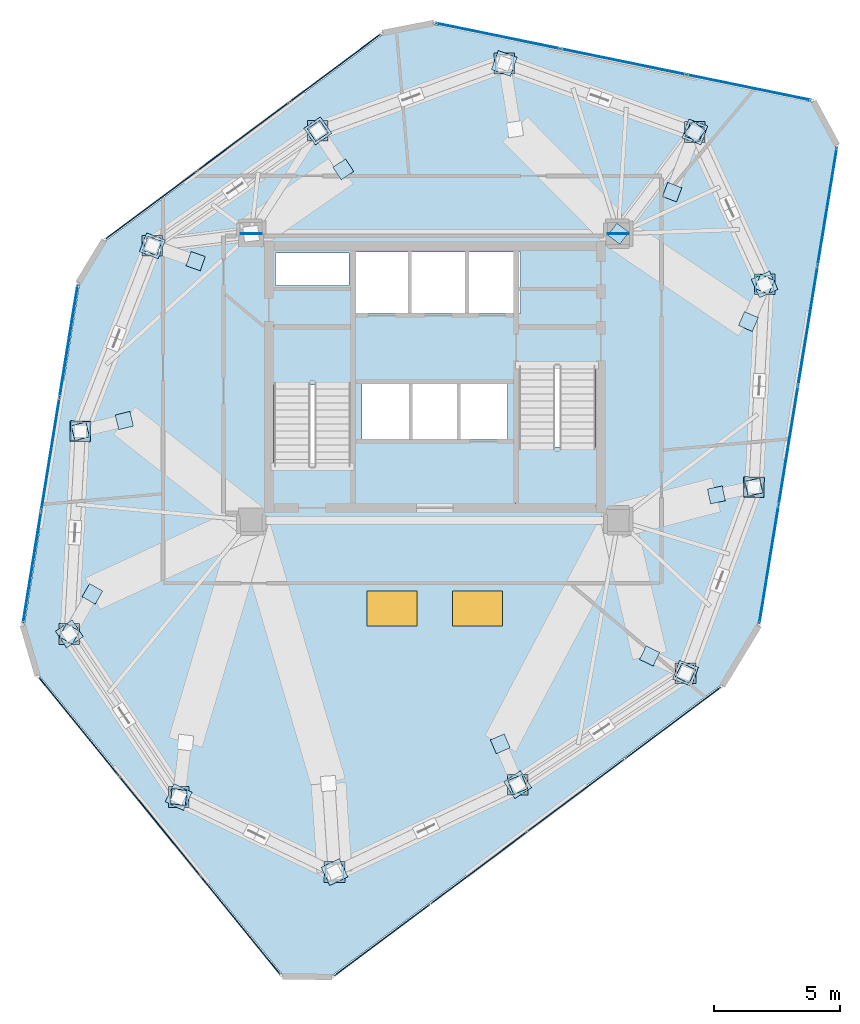
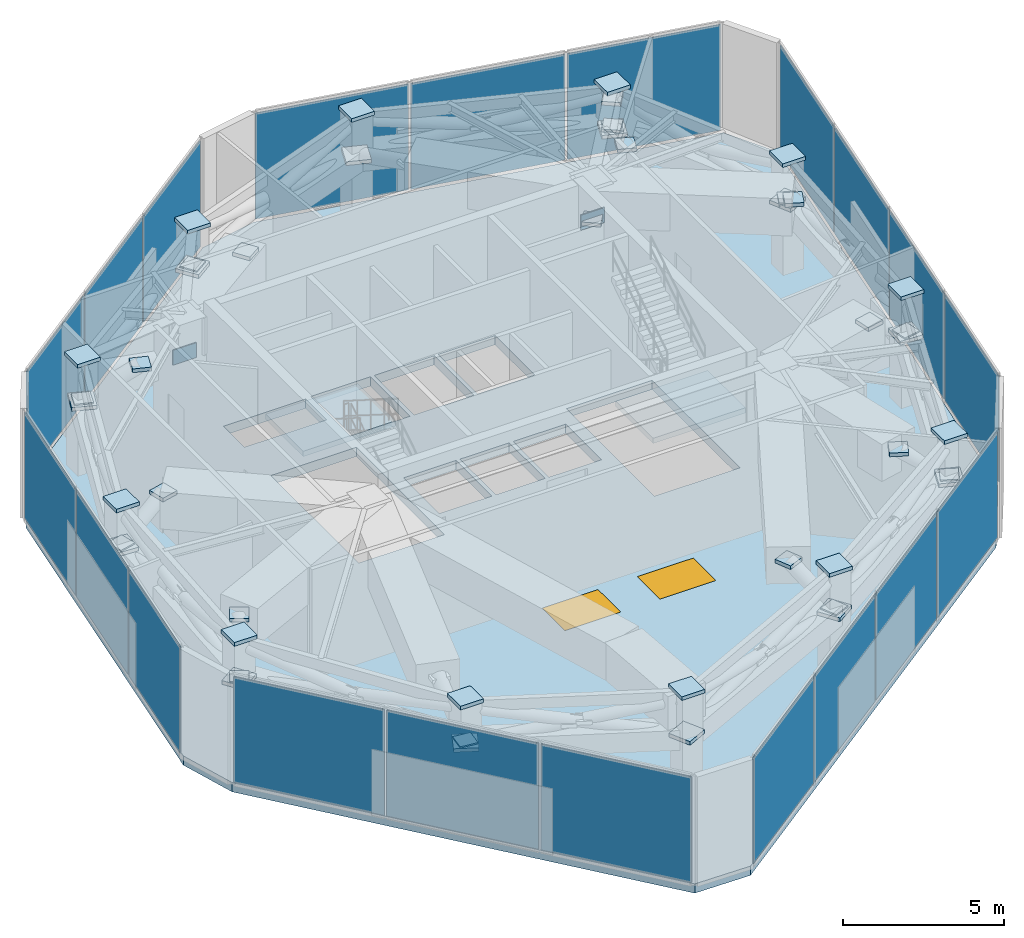
# One storey, part 15 of 19: 68 plates, 3 slabs, 2 windows, 2 openings, 8 elements without a shape of their own.
"""IFC4 building model written with IfcOpenShell, lengths in metres."""

import ifcopenshell
import ifcopenshell.guid

model = None  # the IFC model being written
_history = None  # IfcOwnerHistory: only IFC2X3 demands one
_inside = {}  # id of a spatial element -> (the spatial element, [elements in it])
_under = {}  # id of a project, library or spatial element -> (it, [spatial elements below it])
_declared = {}  # id of a project -> (the project, [libraries it declares])
_typed = {}  # id of a type object -> (the type object, [elements of that type])
_made_of = {}  # id of a material, layer set ... -> (it, [elements and type objects made of it])


def new_model(schema):
    """Start an empty IFC model of exactly this schema.

    Asked for "IFC4X3", IfcOpenShell would pick the latest addendum, in which some entities
    have other attributes; the version numbers below select the first issue.
    IFC2X3 requires an IfcOwnerHistory on every rooted entity: one is made here for all.
    """
    global model, _history
    if schema == "IFC4X3":
        model = ifcopenshell.file(schema_version=(4, 3, 0, 0))
    else:
        model = ifcopenshell.file(schema=schema)
    _inside.clear()
    _under.clear()
    _declared.clear()
    _typed.clear()
    _made_of.clear()
    _history = None
    if model.schema == "IFC2X3":
        org = make("IfcOrganization", Name="unknown")
        user = make(
            "IfcPersonAndOrganization",
            ThePerson=make("IfcPerson", FamilyName="unknown"),
            TheOrganization=org,
        )
        app = make(
            "IfcApplication",
            ApplicationDeveloper=org,
            Version="unknown",
            ApplicationFullName="unknown",
            ApplicationIdentifier="unknown",
        )
        _history = make(
            "IfcOwnerHistory",
            OwningUser=user,
            OwningApplication=app,
            ChangeAction="ADDED",
            CreationDate=0,
        )
    return model


def make(cls, **values):
    """One entity of the class cls with the attributes given. An attribute that is None is left unset."""
    return model.create_entity(
        cls, **{name: value for name, value in values.items() if value is not None}
    )


def rooted(cls, **values):
    """An entity with a GlobalId (a new one), such as an element, a storey or a relation."""
    return make(cls, GlobalId=ifcopenshell.guid.new(), OwnerHistory=_history, **values)


def si_unit(unit_type, name, prefix=None):
    """IfcSIUnit, for example si_unit("LENGTHUNIT", "METRE", prefix="MILLI")."""
    return make("IfcSIUnit", UnitType=unit_type, Prefix=prefix, Name=name)


def assignment(units):
    """IfcUnitAssignment: the units of a project."""
    return None if units is None else make("IfcUnitAssignment", Units=units)


def point(xyz):
    """IfcCartesianPoint."""
    return None if xyz is None else make("IfcCartesianPoint", Coordinates=xyz)


def direction(xyz):
    """IfcDirection."""
    return None if xyz is None else make("IfcDirection", DirectionRatios=xyz)


def frame(location, z_axis=None, x_axis=None):
    """IfcAxis2Placement3D, a coordinate frame: its origin and axes. An axis left out is left unset."""
    return make(
        "IfcAxis2Placement3D",
        Location=point(location),
        Axis=direction(z_axis),
        RefDirection=direction(x_axis),
    )


def frame_2d(location, x_axis=None):
    """IfcAxis2Placement2D, a coordinate frame in the plane: its origin and x axis."""
    return make(
        "IfcAxis2Placement2D", Location=point(location), RefDirection=direction(x_axis)
    )


def origin():
    """The frame at (0, 0, 0) with its axes left unset."""
    return frame((0.0, 0.0, 0.0))


def origin_2d():
    """The frame at (0, 0) in the plane with its x axis left unset."""
    return frame_2d((0.0, 0.0))


def place(relative_to, where):
    """IfcLocalPlacement: puts the frame where relative to a parent placement (None: the world)."""
    return make(
        "IfcLocalPlacement", PlacementRelTo=relative_to, RelativePlacement=where
    )


def context(
    kind, dimensions, precision=None, world=None, true_north=None, identifier=None
):
    """IfcGeometricRepresentationContext, for example the 3D "Model" context."""
    return make(
        "IfcGeometricRepresentationContext",
        ContextIdentifier=identifier,
        ContextType=kind,
        CoordinateSpaceDimension=dimensions,
        Precision=precision,
        WorldCoordinateSystem=world,
        TrueNorth=true_north,
    )


def subcontext(parent, identifier, kind, view, scale=None):
    """IfcGeometricRepresentationSubContext, for example "Body" below "Model"."""
    return make(
        "IfcGeometricRepresentationSubContext",
        ContextIdentifier=identifier,
        ContextType=kind,
        ParentContext=parent,
        TargetScale=scale,
        TargetView=view,
    )


def project(units=None, contexts=None):
    """IfcProject with its units and contexts."""
    return rooted(
        "IfcProject",
        Name="project",
        RepresentationContexts=contexts,
        UnitsInContext=assignment(units),
    )


def spatial(cls, under=None, at=None, **own):
    """A site, building, storey or space (cls), placed at a placement, below another one or the project."""
    s = rooted(cls, ObjectPlacement=at, **own)
    if under is not None:
        _under.setdefault(under.id(), (under, []))[1].append(s)
    return s


def polyline(points):
    """IfcPolyline through the points."""
    return make("IfcPolyline", Points=[point(p) for p in points])


def profile(cls, at=None, kind="AREA", **sizes):
    """A parametric profile (cls). Its sizes go by their IFC names, for example OverallWidth=200.0."""
    return make(cls, ProfileType=kind, Position=at, **sizes)


def rectangle(**sizes):
    """IfcRectangleProfileDef."""
    return profile("IfcRectangleProfileDef", **sizes)


def outline(outer, holes=None, kind="AREA"):
    """IfcArbitraryClosedProfileDef: a profile drawn as a closed curve; with holes, ...WithVoids."""
    if holes is None:
        return make("IfcArbitraryClosedProfileDef", ProfileType=kind, OuterCurve=outer)
    return make(
        "IfcArbitraryProfileDefWithVoids",
        ProfileType=kind,
        OuterCurve=outer,
        InnerCurves=holes,
    )


def extrude(swept, where, along, depth):
    """IfcExtrudedAreaSolid: the profile swept, set in the frame where, extruded along a direction by depth."""
    return make(
        "IfcExtrudedAreaSolid",
        SweptArea=swept,
        Position=where,
        ExtrudedDirection=direction(along),
        Depth=depth,
    )


def shape(context_of_items, identifier, shape_type, items):
    """IfcShapeRepresentation: the items that make up one representation, for example the "Body"."""
    return make(
        "IfcShapeRepresentation",
        ContextOfItems=context_of_items,
        RepresentationIdentifier=identifier,
        RepresentationType=shape_type,
        Items=items,
    )


def source(mapping_origin, context_of_items, identifier, shape_type, items):
    """IfcRepresentationMap: a shape defined once, which mapped items show again and again."""
    return make(
        "IfcRepresentationMap",
        MappingOrigin=mapping_origin,
        MappedRepresentation=shape(context_of_items, identifier, shape_type, items),
    )


def transform(
    local_origin,
    x_axis=None,
    y_axis=None,
    z_axis=None,
    scale=None,
    scale2=None,
    scale3=None,
    uniform=True,
):
    """IfcCartesianTransformationOperator3D, or its non-uniform kind. x_axis, y_axis, z_axis: its Axis1, 2, 3."""
    if uniform:
        return make(
            "IfcCartesianTransformationOperator3D",
            Axis1=direction(x_axis),
            Axis2=direction(y_axis),
            LocalOrigin=point(local_origin),
            Scale=scale,
            Axis3=direction(z_axis),
        )
    return make(
        "IfcCartesianTransformationOperator3DnonUniform",
        Axis1=direction(x_axis),
        Axis2=direction(y_axis),
        LocalOrigin=point(local_origin),
        Scale=scale,
        Axis3=direction(z_axis),
        Scale2=scale2,
        Scale3=scale3,
    )


def mapped(mapping_source, mapping_target):
    """IfcMappedItem: shows the shape of a source again, moved by a transform."""
    return make(
        "IfcMappedItem", MappingSource=mapping_source, MappingTarget=mapping_target
    )


def material(Name=None, Category=None):
    """IfcMaterial."""
    return make("IfcMaterial", Name=Name, Category=Category)


def layer(
    of_material, thickness, ventilated=None, Name=None, Category=None, Priority=None
):
    """IfcMaterialLayer: one layer of a wall or slab, of a material (None: an air gap)."""
    return make(
        "IfcMaterialLayer",
        Material=of_material,
        LayerThickness=thickness,
        IsVentilated=ventilated,
        Name=Name,
        Category=Category,
        Priority=Priority,
    )


def layer_set(layers, Name=None):
    """IfcMaterialLayerSet."""
    return make("IfcMaterialLayerSet", MaterialLayers=layers, LayerSetName=Name)


def made_of(thing, what):
    """Note that an element or type object is made of a material, layer set ...; save() writes the relation."""
    if what is not None:
        _made_of.setdefault(what.id(), (what, []))[1].append(thing)
    return thing


def type_object(cls, material=None, **own):
    """A type object (cls), such as IfcWallType, which elements share."""
    return made_of(rooted(cls, **own), material)


def type_shapes(of_type, sources):
    """Give a type object the sources (RepresentationMaps) that its elements show as mapped items."""
    of_type.RepresentationMaps = sources


def element(
    cls,
    number,
    at=None,
    inside=None,
    cuts=None,
    type_object=None,
    material=None,
    context=None,
    identifier="Body",
    shape_type=None,
    held_by="IfcProductDefinitionShape",
    body=None,
    shapes=None,
    **own,
):
    """One element of the class cls, such as IfcWall. Its Tag is "e" and its number.

    at: its placement. inside: the storey or other place that contains it. cuts: it is an
    opening in that element (IfcRelVoidsElement). A single representation is given by context,
    identifier, shape_type and body (its items); several are given by shapes. held_by: the class
    of the entity that holds the representations. save() writes the other relations.
    """
    e = rooted(cls, Tag="e%d" % number, ObjectPlacement=at, **own)
    if body is not None:
        shapes = [shape(context, identifier, shape_type, body)]
    if shapes is not None:
        e.Representation = make(held_by, Representations=shapes)
    if inside is not None:
        _inside.setdefault(inside.id(), (inside, []))[1].append(e)
    if cuts is not None:
        rooted(
            "IfcRelVoidsElement", RelatingBuildingElement=cuts, RelatedOpeningElement=e
        )
    if type_object is not None:
        _typed.setdefault(type_object.id(), (type_object, []))[1].append(e)
    return made_of(e, material)


def fill(opening, filler):
    """IfcRelFillsElement: the door or window that sits in an opening."""
    return rooted(
        "IfcRelFillsElement",
        RelatingOpeningElement=opening,
        RelatedBuildingElement=filler,
    )


def aggregate(whole, parts):
    """IfcRelAggregates: a whole, such as a stair, and the parts it consists of."""
    return rooted("IfcRelAggregates", RelatingObject=whole, RelatedObjects=parts)


def save(model, path):
    """Write the relations noted so far, then the file.

    IfcRelAggregates (storeys below a building ...), IfcRelContainedInSpatialStructure (elements
    in a storey), IfcRelDefinesByType, IfcRelAssociatesMaterial and IfcRelDeclares: one each for
    every whole, place, type object, material and project.
    """
    for whole, parts in _under.values():
        aggregate(whole, parts)
    for where, things in _inside.values():
        rooted(
            "IfcRelContainedInSpatialStructure",
            RelatedElements=things,
            RelatingStructure=where,
        )
    for kind, things in _typed.values():
        rooted("IfcRelDefinesByType", RelatedObjects=things, RelatingType=kind)
    for what, things in _made_of.values():
        rooted("IfcRelAssociatesMaterial", RelatedObjects=things, RelatingMaterial=what)
    for by, libraries in _declared.values():
        rooted("IfcRelDeclares", RelatingContext=by, RelatedDefinitions=libraries)
    model.write(path)


model = new_model("IFC4")

# Units and contexts
model_context = context("Model", 3, precision=1e-05, world=origin(), true_north=direction((0.0, 1.0)))
body_context = subcontext(model_context, "Body", "Model", "MODEL_VIEW")
ifc_project = project(units=[si_unit("LENGTHUNIT", "METRE"), si_unit("AREAUNIT", "SQUARE_METRE"), si_unit("VOLUMEUNIT", "CUBIC_METRE"), si_unit("PLANEANGLEUNIT", "RADIAN"), si_unit("MASSUNIT", "GRAM", prefix="KILO")], contexts=[model_context])

# Site, building, storey
site_placement = place(None, origin())
site = spatial("IfcSite", under=ifc_project, at=site_placement, CompositionType="ELEMENT")
building_placement = place(site_placement, origin())
building = spatial("IfcBuilding", under=site, at=building_placement, Name="Talar Marvaseh", CompositionType="ELEMENT")
storey_placement = place(building_placement, frame((0.0, 0.0, 236.199951171875)))
storey = spatial("IfcBuildingStorey", under=building, at=storey_placement, Name="L62", CompositionType="ELEMENT", Elevation=236.199951171875)

# Stair, slab
ifc_material_1 = material(Name="Concrete C40/50", Category="concrete")
stair_type = type_object("IfcStairType", Name="Reinforced Concrete High-Rise Exit Stair Type C", PredefinedType="HALF_TURN_STAIR", material=ifc_material_1)
stair_1_placement = place(storey_placement, origin())
stair_1 = element("IfcStair", 1, at=stair_1_placement, inside=storey, type_object=stair_type, Name="L62 Tower West Core Exit Stair", PredefinedType="HALF_TURN_STAIR")
ifc_layer_1 = layer(ifc_material_1, 0.199951171875)
ifc_layer_set_1 = layer_set([ifc_layer_1], Name="Concrete C40/50")
slab_type_1 = type_object("IfcSlabType", Name="Reinforced Concrete Stair Half-Landing Slab 200", PredefinedType="LANDING", material=ifc_layer_set_1)
slab_1_placement = place(storey_placement, frame((0.0, 0.0, 2.10009765625)))
slab_1 = element("IfcSlab", 2, at=slab_1_placement, type_object=slab_type_1, Name="ST-1 landing 1", PredefinedType="LANDING", context=body_context, shape_type="SweptSolid", body=[
    extrude(outline(polyline([(22.780029296875, 30.889892578125), (22.780029296875, 33.219970703125), (19.47998046875, 33.219970703125), (19.47998046875, 30.889892578125), (22.780029296875, 30.889892578125)])), origin(), (0.0, 0.0, 1.0), 0.199951171875),
])
aggregate(stair_1, [slab_1])

stair_2_placement = place(storey_placement, origin())
stair_2 = element("IfcStair", 3, at=stair_2_placement, inside=storey, type_object=stair_type, Name="L62 Tower East Core Exit Stair", PredefinedType="HALF_TURN_STAIR")
slab_2_placement = place(storey_placement, frame((0.0, 0.0, 2.10009765625)))
slab_2 = element("IfcSlab", 4, at=slab_2_placement, type_object=slab_type_1, Name="ST-2 landing 1", PredefinedType="LANDING", context=body_context, shape_type="SweptSolid", body=[
    extrude(outline(polyline([(29.219970703125, 28.409912109375), (29.219970703125, 26.080078125), (32.52001953125, 26.080078125), (32.52001953125, 28.409912109375), (29.219970703125, 28.409912109375)])), origin(), (0.0, 0.0, 1.0), 0.199951171875),
])
aggregate(stair_2, [slab_2])

# Slab, openings, windows
ifc_material_2 = material(Name="Concrete C50/60", Category="concrete")
ifc_layer_2 = layer(ifc_material_2, 0.35009765625)
ifc_layer_set_2 = layer_set([ifc_layer_2], Name="Concrete C50/60")
slab_type_2 = type_object("IfcSlabType", Name="Structural Suspended Floor Slab 350", PredefinedType="FLOOR", material=ifc_layer_set_2)
slab_3_placement = place(storey_placement, frame((0.0, 0.0, -0.349853515625)))
slab_3 = element("IfcSlab", 5, at=slab_3_placement, inside=storey, type_object=slab_type_2, Name="L62 Tower Floor Slab", PredefinedType="FLOOR", context=body_context, shape_type="SweptSolid", body=[
    extrude(outline(polyline([(21.922607421875, 7.40771484375), (19.9453125, 7.43603515625), (10.27197265625, 19.340576171875), (9.68310546875, 21.34423828125), (11.87451171875, 34.900146484375), (12.91357421875, 36.612548828125), (23.92578125, 44.815673828125), (25.97509765625, 45.218505859375), (41.001220703125, 42.13525390625), (41.939453125, 40.394287109375), (38.836181640625, 21.357421875), (37.375732421875, 18.95068359375), (21.922607421875, 7.40771484375)]), holes=[polyline([(22.659912109375, 27.64990234375), (22.659912109375, 33.10009765625), (19.60009765625, 33.10009765625), (19.60009765625, 27.64990234375), (22.659912109375, 27.64990234375)]), polyline([(29.340087890625, 31.64990234375), (29.340087890625, 26.199951171875), (32.39990234375, 26.199951171875), (32.39990234375, 31.64990234375), (29.340087890625, 31.64990234375)]), polyline([(22.800048828125, 33.719970703125), (24.93994140625, 33.719970703125), (24.93994140625, 36.179931640625), (22.800048828125, 36.179931640625), (22.800048828125, 33.719970703125)]), polyline([(25.080078125, 33.719970703125), (27.219970703125, 33.719970703125), (27.219970703125, 36.179931640625), (25.080078125, 36.179931640625), (25.080078125, 33.719970703125)]), polyline([(27.360107421875, 33.719970703125), (29.39990234375, 33.719970703125), (29.39990234375, 36.179931640625), (27.360107421875, 36.179931640625), (27.360107421875, 33.719970703125)]), polyline([(23.10009765625, 28.719970703125), (24.97998046875, 28.719970703125), (24.97998046875, 30.93994140625), (23.10009765625, 30.93994140625), (23.10009765625, 28.719970703125)]), polyline([(25.1201171875, 28.719970703125), (26.8798828125, 28.719970703125), (26.8798828125, 30.93994140625), (25.1201171875, 30.93994140625), (25.1201171875, 28.719970703125)]), polyline([(27.02001953125, 28.719970703125), (28.89990234375, 28.719970703125), (28.89990234375, 30.93994140625), (27.02001953125, 30.93994140625), (27.02001953125, 28.719970703125)]), polyline([(19.659912109375, 34.840087890625), (22.60009765625, 34.840087890625), (22.60009765625, 36.139892578125), (19.659912109375, 36.139892578125), (19.659912109375, 34.840087890625)])]), origin(), (0.0, 0.0, 1.0), 0.349853515625),
])
opening_1_placement = place(slab_3_placement, frame((24.300048828125, 22.0, -0.010009765625)))
opening_1 = element("IfcOpeningElement", 6, at=opening_1_placement, cuts=slab_3, Name="Opening WN-SKY20", PredefinedType="OPENING", context=body_context, shape_type="SweptSolid", body=[
    extrude(rectangle(XDim=2.0, YDim=1.39990234375, at=origin_2d()), origin(), (0.0, 0.0, 1.0), 0.369873046875),
])
opening_2_placement = place(slab_3_placement, frame((27.699951171875, 22.0, -0.010009765625)))
opening_2 = element("IfcOpeningElement", 7, at=opening_2_placement, cuts=slab_3, Name="Opening WN-SKY20", PredefinedType="OPENING", context=body_context, shape_type="SweptSolid", body=[
    extrude(rectangle(XDim=2.0, YDim=1.39990234375, at=origin_2d()), origin(), (0.0, 0.0, 1.0), 0.369873046875),
])
ifc_material_3 = material(Name="Laminated Low-E Solar Glass", Category="glass")
window_type = type_object("IfcWindowType", Name="Upper Atrium Smoke-Rated Roof Skylight 2000x1400", PartitioningType="SINGLE_PANEL", PredefinedType="SKYLIGHT", material=ifc_material_3)
window_1_placement = place(slab_3_placement, frame((24.300048828125, 22.0, 0.2998046875)))
window_1 = element("IfcWindow", 8, at=window_1_placement, inside=storey, type_object=window_type, Name="L62 Atrium Compartment Smoke-Rated Skylight", OverallHeight=1.39990234375, OverallWidth=2.0, PartitioningType="SINGLE_PANEL", PredefinedType="SKYLIGHT", context=body_context, shape_type="SweptSolid", body=[
    extrude(rectangle(XDim=2.0, YDim=1.39990234375, at=origin_2d()), origin(), (0.0, 0.0, 1.0), 0.050048828125),
])
fill(opening_1, window_1)
window_2_placement = place(slab_3_placement, frame((27.699951171875, 22.0, 0.2998046875)))
window_2 = element("IfcWindow", 9, at=window_2_placement, inside=storey, type_object=window_type, Name="L62 Atrium Compartment Smoke-Rated Skylight", OverallHeight=1.39990234375, OverallWidth=2.0, PartitioningType="SINGLE_PANEL", PredefinedType="SKYLIGHT", context=body_context, shape_type="SweptSolid", body=[
    extrude(rectangle(XDim=2.0, YDim=1.39990234375, at=origin_2d()), origin(), (0.0, 0.0, 1.0), 0.050048828125),
])
fill(opening_2, window_2)

# Plates
ifc_material_4 = material(Name="Steel S460", Category="steel")
ifc_layer_3 = layer(ifc_material_4, 0.034912109375)
ifc_layer_set_3 = layer_set([ifc_layer_3], Name="Steel S460")
plate_type_1 = type_object("IfcPlateType", Name="Belt Truss Post Closure Cap Plate 35", PredefinedType="USERDEFINED", material=ifc_layer_set_3)
shared_shape_1 = source(origin(), body_context, "Body", "SweptSolid", [
    extrude(rectangle(XDim=0.800048828125, YDim=0.800048828125, at=origin_2d()), origin(), (0.0, 0.0, 1.0), 0.139892578125),
])
for number, where, z_axis, x_axis, name in (
    (10, (28.76611328125, 43.66796875, 2.43017578125), (0.0, 0.0, 1.0), (0.940880768954, -0.338737920245, 0.0), "L62 Hollow Member End Cap Plate"),
    (11, (36.341064453125, 40.94189453125, 2.43017578125), (0.0, 0.0, 1.0), (0.940880768954, -0.338737920245, 0.0), "L62 Hollow Member End Cap Plate"),
    (12, (39.113037109375, 34.884033203125, 2.43017578125), (0.0, 0.0, 1.0), (0.41628079226, -0.909236109047, 0.0), "L62 Hollow Member End Cap Plate"),
    (13, (38.68896484375, 26.823974609375, 2.43017578125), (0.0, 0.0, 1.0), (-0.052335956243, -0.998629534755, 0.0), "L62 Hollow Member End Cap Plate"),
    (14, (35.970947265625, 19.423095703125, 2.43017578125), (0.0, 0.0, 1.0), (-0.345298198999, -0.93849302276, 0.0), "L62 Hollow Member End Cap Plate"),
    (15, (29.299072265625, 14.993896484375, 2.43017578125), (0.0, 0.0, 1.0), (-0.83292124071, -0.553391549243, 0.0), "L62 Hollow Member End Cap Plate"),
    (16, (22.014892578125, 11.51904296875, 2.43017578125), (0.0, 0.0, 1.0), (-0.90258528435, -0.430511096808, 0.0), "L62 Hollow Member End Cap Plate"),
    (17, (15.819091796875, 14.5009765625, 2.43017578125), (0.0, 0.0, 1.0), (-0.901077021322, 0.433659084588, 0.0), "L62 Hollow Member End Cap Plate"),
    (18, (11.471923828125, 20.986083984375, 2.43017578125), (0.0, 0.0, 1.0), (-0.5562956155, 0.830984469274, 0.0), "L62 Hollow Member End Cap Plate"),
    (19, (11.908935546875, 29.044921875, 2.43017578125), (0.0, 0.0, 1.0), (0.054078812985, 0.998536670326, 0.0), "L62 Hollow Member End Cap Plate"),
    (20, (14.77294921875, 36.416015625, 2.43017578125), (0.0, 0.0, 1.0), (0.361624570082, 0.932323801216, 0.0), "L62 Hollow Member End Cap Plate"),
    (21, (21.35205078125, 40.986083984375, 2.43017578125), (0.0, 0.0, 1.0), (0.821149209134, 0.570713567684, 0.0), "L62 Hollow Member End Cap Plate"),
):
    element("IfcPlate", number, at=place(storey_placement, frame(where, z_axis=z_axis, x_axis=x_axis)), inside=storey, type_object=plate_type_1, Name=name, ObjectType="CAP_PLATE", PredefinedType="USERDEFINED", context=body_context, shape_type="MappedRepresentation", body=[
        mapped(shared_shape_1, transform((0.0, 0.0, 0.0), x_axis=(1.0, 0.0, 0.0), y_axis=(0.0, 1.0, 0.0), z_axis=(0.0, 0.0, 1.0), scale=1.0)),
    ])
ifc_layer_4 = layer(ifc_material_4, 0.030029296875)
ifc_layer_set_4 = layer_set([ifc_layer_4], Name="Steel S460")
plate_type_2 = type_object("IfcPlateType", Name="Heavy Box End Closure Cap Plate 30", PredefinedType="USERDEFINED", material=ifc_layer_set_4)
shared_shape_2 = source(origin(), body_context, "Body", "SweptSolid", [
    extrude(rectangle(XDim=0.60009765625, YDim=0.60009765625, at=origin_2d()), origin(), (0.0, 0.0, 1.0), 0.139892578125),
])
type_shapes(plate_type_2, [shared_shape_2])
for number, where, z_axis, x_axis, name in (
    (22, (33.300048828125, 36.89990234375, 2.5302734375), (0.0, 0.0, 1.0), (0.601815023152, 0.798635510047, 0.0), "L62 Hollow Member End Cap Plate"),
    (23, (36.341064453125, 40.94189453125, 2.5302734375), (0.0, 0.0, 1.0), (0.601815023152, 0.798635510047, 0.0), "L62 Hollow Member End Cap Plate"),
    (24, (36.341064453125, 40.94189453125, 3.580078125), (0.0, 0.0, 1.0), (0.601815023152, 0.798635510047, 0.0), "L62 Hollow Member End Cap Plate"),
    (25, (11.471923828125, 20.986083984375, 2.47998046875), (0.0, 0.0, 1.0), (0.5, 0.866025403784, 0.0), "L62 Hollow Member End Cap Plate"),
    (26, (12.388916015625, 22.576904296875, 3.580078125), (0.0, 0.0, 1.0), (0.5, 0.866025403784, 0.0), "L62 Hollow Member End Cap Plate"),
    (27, (11.908935546875, 29.044921875, 2.47998046875), (0.0, 0.0, 1.0), (0.971549119998, 0.236838146066, 0.0), "L62 Hollow Member End Cap Plate"),
    (28, (13.657958984375, 29.469970703125, 3.580078125), (0.0, 0.0, 1.0), (0.971549119998, 0.236838146066, 0.0), "L62 Hollow Member End Cap Plate"),
    (29, (14.77294921875, 36.416015625, 2.47998046875), (0.0, 0.0, 1.0), (0.942641491092, -0.333806859234, 0.0), "L62 Hollow Member End Cap Plate"),
    (30, (16.493896484375, 35.806884765625, 3.580078125), (0.0, 0.0, 1.0), (0.942641491092, -0.333806859234, 0.0), "L62 Hollow Member End Cap Plate"),
    (31, (21.35205078125, 40.986083984375, 2.47998046875), (0.0, 0.0, 1.0), (0.551936985312, -0.833885822067, 0.0), "L62 Hollow Member End Cap Plate"),
    (32, (22.364990234375, 39.4541015625, 3.580078125), (0.0, 0.0, 1.0), (0.551936985312, -0.833885822067, 0.0), "L62 Hollow Member End Cap Plate"),
    (33, (36.341064453125, 40.94189453125, 2.47998046875), (0.0, 0.0, 1.0), (-0.353474843779, -0.93544403083, 0.0), "L62 Hollow Member End Cap Plate"),
    (34, (35.43798828125, 38.551025390625, 3.580078125), (0.0, 0.0, 1.0), (-0.353474843779, -0.93544403083, 0.0), "L62 Hollow Member End Cap Plate"),
    (35, (39.113037109375, 34.884033203125, 2.47998046875), (0.0, 0.0, 1.0), (-0.398749068925, -0.917060074385, 0.0), "L62 Hollow Member End Cap Plate"),
    (36, (38.470947265625, 33.406005859375, 3.580078125), (0.0, 0.0, 1.0), (-0.398749068925, -0.917060074385, 0.0), "L62 Hollow Member End Cap Plate"),
    (37, (38.68896484375, 26.823974609375, 2.47998046875), (0.0, 0.0, 1.0), (-0.979222810622, -0.202787295357, 0.0), "L62 Hollow Member End Cap Plate"),
    (38, (37.197021484375, 26.513916015625, 3.580078125), (0.0, 0.0, 1.0), (-0.979222810622, -0.202787295357, 0.0), "L62 Hollow Member End Cap Plate"),
    (39, (35.970947265625, 19.423095703125, 2.47998046875), (0.0, 0.0, 1.0), (-0.901077021322, 0.433659084588, 0.0), "L62 Hollow Member End Cap Plate"),
    (40, (34.5439453125, 20.111083984375, 3.580078125), (0.0, 0.0, 1.0), (-0.901077021322, 0.433659084588, 0.0), "L62 Hollow Member End Cap Plate"),
    (41, (29.299072265625, 14.993896484375, 2.47998046875), (0.0, 0.0, 1.0), (-0.393941909591, 0.919135339255, 0.0), "L62 Hollow Member End Cap Plate"),
    (42, (28.60498046875, 16.616943359375, 3.580078125), (0.0, 0.0, 1.0), (-0.393941909591, 0.919135339255, 0.0), "L62 Hollow Member End Cap Plate"),
    (43, (15.819091796875, 14.5009765625, 2.47998046875), (0.0, 0.0, 1.0), (0.12360147674, 0.992331937885, 0.0), "L62 Hollow Member End Cap Plate"),
):
    element("IfcPlate", number, at=place(storey_placement, frame(where, z_axis=z_axis, x_axis=x_axis)), inside=storey, type_object=plate_type_2, Name=name, ObjectType="CAP_PLATE", PredefinedType="USERDEFINED", context=body_context, shape_type="MappedRepresentation", body=[
        mapped(shared_shape_2, transform((0.0, 0.0, 0.0), x_axis=(1.0, 0.0, 0.0), y_axis=(0.0, 1.0, 0.0), z_axis=(0.0, 0.0, 1.0), scale=1.0)),
    ])
shared_shape_3 = source(origin(), body_context, "Body", "SweptSolid", [
    extrude(rectangle(XDim=0.820068359375, YDim=0.820068359375, at=origin_2d()), origin(), (0.0, 0.0, 1.0), 0.139892578125),
])
type_shapes(plate_type_1, [shared_shape_1, shared_shape_3])
for number, where, z_axis, x_axis, name in (
    (44, (28.76611328125, 43.66796875, 4.125), (0.0, 0.0, 1.0), (1.0, 0.0, 0.0), "L62 Belt Truss Post Top Cap Plate"),
    (45, (36.341064453125, 40.94189453125, 4.125), (0.0, 0.0, 1.0), (1.0, 0.0, 0.0), "L62 Belt Truss Post Top Cap Plate"),
    (46, (39.113037109375, 34.884033203125, 4.125), (0.0, 0.0, 1.0), (1.0, 0.0, 0.0), "L62 Belt Truss Post Top Cap Plate"),
    (47, (38.68896484375, 26.823974609375, 4.125), (0.0, 0.0, 1.0), (1.0, 0.0, 0.0), "L62 Belt Truss Post Top Cap Plate"),
    (48, (35.970947265625, 19.423095703125, 4.125), (0.0, 0.0, 1.0), (1.0, 0.0, 0.0), "L62 Belt Truss Post Top Cap Plate"),
    (49, (29.299072265625, 14.993896484375, 4.125), (0.0, 0.0, 1.0), (1.0, 0.0, 0.0), "L62 Belt Truss Post Top Cap Plate"),
    (50, (22.014892578125, 11.51904296875, 4.125), (0.0, 0.0, 1.0), (1.0, 0.0, 0.0), "L62 Belt Truss Post Top Cap Plate"),
    (51, (15.819091796875, 14.5009765625, 4.125), (0.0, 0.0, 1.0), (1.0, 0.0, 0.0), "L62 Belt Truss Post Top Cap Plate"),
    (52, (11.471923828125, 20.986083984375, 4.125), (0.0, 0.0, 1.0), (1.0, 0.0, 0.0), "L62 Belt Truss Post Top Cap Plate"),
    (53, (11.908935546875, 29.044921875, 4.125), (0.0, 0.0, 1.0), (1.0, 0.0, 0.0), "L62 Belt Truss Post Top Cap Plate"),
    (54, (14.77294921875, 36.416015625, 4.125), (0.0, 0.0, 1.0), (1.0, 0.0, 0.0), "L62 Belt Truss Post Top Cap Plate"),
    (55, (21.35205078125, 40.986083984375, 4.125), (0.0, 0.0, 1.0), (1.0, 0.0, 0.0), "L62 Belt Truss Post Top Cap Plate"),
):
    element("IfcPlate", number, at=place(storey_placement, frame(where, z_axis=z_axis, x_axis=x_axis)), inside=storey, type_object=plate_type_1, Name=name, ObjectType="CAP_PLATE", PredefinedType="USERDEFINED", context=body_context, shape_type="MappedRepresentation", body=[
        mapped(shared_shape_3, transform((0.0, 0.0, 0.0), x_axis=(1.0, 0.0, 0.0), y_axis=(0.0, 1.0, 0.0), z_axis=(0.0, 0.0, 1.0), scale=1.0)),
    ])
ifc_layer_5 = layer(ifc_material_4, 0.035888671875)
ifc_layer_set_5 = layer_set([ifc_layer_5], Name="Steel S460")
plate_type_3 = type_object("IfcPlateType", Name="Outrigger Node Gusset Plate 36", PredefinedType="USERDEFINED", material=ifc_layer_set_5)
shared_shape_4 = source(origin(), body_context, "Body", "SweptSolid", [
    extrude(rectangle(XDim=0.840087890625, YDim=0.035888671875, at=origin_2d()), origin(), (0.0, 0.0, 1.0), 0.56005859375),
])
type_shapes(plate_type_3, [shared_shape_4])
for number, where, z_axis, x_axis, name in (
    (56, (18.699951171875, 36.89990234375, 2.340087890625), (0.0, 0.0, 1.0), (1.0, 0.0, 0.0), "L62 Outrigger Gusset Plate 1"),
    (57, (33.300048828125, 36.89990234375, 2.340087890625), (0.0, 0.0, 1.0), (1.0, 0.0, 0.0), "L62 Outrigger Gusset Plate 2"),
):
    element("IfcPlate", number, at=place(storey_placement, frame(where, z_axis=z_axis, x_axis=x_axis)), inside=storey, type_object=plate_type_3, Name=name, ObjectType="GUSSET_PLATE", PredefinedType="USERDEFINED", context=body_context, shape_type="MappedRepresentation", body=[
        mapped(shared_shape_4, transform((0.0, 0.0, 0.0), x_axis=(1.0, 0.0, 0.0), y_axis=(0.0, 1.0, 0.0), z_axis=(0.0, 0.0, 1.0), scale=1.0)),
    ])

# Curtain wall, plates
ifc_material_5 = material(Name="Architectural Aluminium", Category="aluminium")
ifc_layer_6 = layer(ifc_material_5, 0.18994140625)
ifc_layer_set_6 = layer_set([ifc_layer_6], Name="Architectural Aluminium")
curtain_wall_type = type_object("IfcCurtainWallType", Name="Unitised Solar Atelier Curtain Wall Z3", PredefinedType="NOTDEFINED", material=ifc_layer_set_6)
curtain_wall_1_placement = place(storey_placement, origin())
curtain_wall_1 = element("IfcCurtainWall", 58, at=curtain_wall_1_placement, inside=storey, type_object=curtain_wall_type, Name="L62 Unitised Solar Atelier Curtain Wall Z3", PredefinedType="NOTDEFINED")
ifc_material_6 = material(Name="Spandrel Insulated Glass", Category="glass")
ifc_layer_7 = layer(ifc_material_6, 0.035888671875)
ifc_layer_set_7 = layer_set([ifc_layer_7], Name="Spandrel Insulated Glass")
plate_type_4 = type_object("IfcPlateType", Name="Insulated Back-Painted Spandrel Curtain Panel 36", PredefinedType="CURTAIN_PANEL", material=ifc_layer_set_7)
shared_shape_5 = source(origin(), body_context, "Body", "SweptSolid", [
    extrude(rectangle(XDim=5.00048828125, YDim=0.035888671875, at=origin_2d()), origin(), (0.0, 0.0, 1.0), 4.0),
])
plate_1_placement = place(storey_placement, frame((18.274658203125, 9.39697265625, 0.074951171875), z_axis=(0.0, 0.0, 1.0), x_axis=(-0.630626985138, 0.776086081319, 0.0)))
plate_1 = element("IfcPlate", 59, at=plate_1_placement, type_object=plate_type_4, Name="CW-Z3 panel 1.1", PredefinedType="CURTAIN_PANEL", context=body_context, shape_type="MappedRepresentation", body=[
    mapped(shared_shape_5, transform((0.0, 0.0, 0.0), x_axis=(1.0, 0.0, 0.0), y_axis=(0.0, 1.0, 0.0), z_axis=(0.0, 0.0, 1.0), scale=1.0)),
])
plate_2_placement = place(storey_placement, frame((11.849365234375, 17.30419921875, 0.074951171875), z_axis=(0.0, 0.0, 1.0), x_axis=(-0.630626985138, 0.776086081319, 0.0)))
plate_2 = element("IfcPlate", 60, at=plate_2_placement, type_object=plate_type_4, Name="CW-Z3 panel 3.1", PredefinedType="CURTAIN_PANEL", context=body_context, shape_type="MappedRepresentation", body=[
    mapped(shared_shape_5, transform((0.0, 0.0, 0.0), x_axis=(1.0, 0.0, 0.0), y_axis=(0.0, 1.0, 0.0), z_axis=(0.0, 0.0, 1.0), scale=1.0)),
])

curtain_wall_2_placement = place(storey_placement, origin())
curtain_wall_2 = element("IfcCurtainWall", 61, at=curtain_wall_2_placement, inside=storey, type_object=curtain_wall_type, Name="L62 Unitised Solar Atelier Curtain Wall Z3", PredefinedType="NOTDEFINED")
plate_3_placement = place(storey_placement, frame((28.510009765625, 44.759765625, 0.074951171875), z_axis=(0.0, 0.0, 1.0), x_axis=(0.979589042733, -0.201010714536, 0.0)))
plate_3 = element("IfcPlate", 62, at=plate_3_placement, type_object=plate_type_4, Name="CW-Z3 panel 1.1", PredefinedType="CURTAIN_PANEL", context=body_context, shape_type="MappedRepresentation", body=[
    mapped(shared_shape_5, transform((0.0, 0.0, 0.0), x_axis=(1.0, 0.0, 0.0), y_axis=(0.0, 1.0, 0.0), z_axis=(0.0, 0.0, 1.0), scale=1.0)),
])
plate_4_placement = place(storey_placement, frame((38.490478515625, 42.711669921875, 0.074951171875), z_axis=(0.0, 0.0, 1.0), x_axis=(0.979589042733, -0.201010714536, 0.0)))
plate_4 = element("IfcPlate", 63, at=plate_4_placement, type_object=plate_type_4, Name="CW-Z3 panel 3.1", PredefinedType="CURTAIN_PANEL", context=body_context, shape_type="MappedRepresentation", body=[
    mapped(shared_shape_5, transform((0.0, 0.0, 0.0), x_axis=(1.0, 0.0, 0.0), y_axis=(0.0, 1.0, 0.0), z_axis=(0.0, 0.0, 1.0), scale=1.0)),
])

# Plate
shared_shape_6 = source(origin(), body_context, "Body", "SweptSolid", [
    extrude(rectangle(XDim=5.0380859375, YDim=0.035888671875, at=origin_2d()), origin(), (0.0, 0.0, 1.0), 4.0),
])
plate_5_placement = place(storey_placement, frame((15.06201171875, 13.3505859375, 0.074951171875), z_axis=(0.0, 0.0, 1.0), x_axis=(-0.630626985138, 0.776086081319, 0.0)))
plate_5 = element("IfcPlate", 64, at=plate_5_placement, type_object=plate_type_4, Name="CW-Z3 panel 2.1", PredefinedType="CURTAIN_PANEL", context=body_context, shape_type="MappedRepresentation", body=[
    mapped(shared_shape_6, transform((0.0, 0.0, 0.0), x_axis=(1.0, 0.0, 0.0), y_axis=(0.0, 1.0, 0.0), z_axis=(0.0, 0.0, 1.0), scale=1.0)),
])

aggregate(curtain_wall_1, [plate_1, plate_5, plate_2])

plate_6_placement = place(storey_placement, frame((33.500244140625, 43.735595703125, 0.074951171875), z_axis=(0.0, 0.0, 1.0), x_axis=(0.979589042733, -0.201010714536, 0.0)))
plate_6 = element("IfcPlate", 65, at=plate_6_placement, type_object=plate_type_4, Name="CW-Z3 panel 2.1", PredefinedType="CURTAIN_PANEL", context=body_context, shape_type="MappedRepresentation", body=[
    mapped(shared_shape_6, transform((0.0, 0.0, 0.0), x_axis=(1.0, 0.0, 0.0), y_axis=(0.0, 1.0, 0.0), z_axis=(0.0, 0.0, 1.0), scale=1.0)),
])

aggregate(curtain_wall_2, [plate_3, plate_6, plate_4])

# Curtain wall, plates
curtain_wall_3_placement = place(storey_placement, origin())
curtain_wall_3 = element("IfcCurtainWall", 66, at=curtain_wall_3_placement, inside=storey, type_object=curtain_wall_type, Name="L62 Unitised Solar Atelier Curtain Wall Z3", PredefinedType="NOTDEFINED")
shared_shape_7 = source(origin(), body_context, "Body", "SweptSolid", [
    extrude(rectangle(XDim=4.46484375, YDim=0.035888671875, at=origin_2d()), origin(), (0.0, 0.0, 1.0), 4.0),
])
plate_7_placement = place(storey_placement, frame((9.9921875, 23.631591796875, 0.074951171875), z_axis=(0.0, 0.0, 1.0), x_axis=(0.159571747475, 0.987186333682, 0.0)))
plate_7 = element("IfcPlate", 67, at=plate_7_placement, type_object=plate_type_4, Name="CW-Z3 panel 1.1", PredefinedType="CURTAIN_PANEL", context=body_context, shape_type="MappedRepresentation", body=[
    mapped(shared_shape_7, transform((0.0, 0.0, 0.0), x_axis=(1.0, 0.0, 0.0), y_axis=(0.0, 1.0, 0.0), z_axis=(0.0, 0.0, 1.0), scale=1.0)),
])
plate_8_placement = place(storey_placement, frame((11.447021484375, 32.6318359375, 0.074951171875), z_axis=(0.0, 0.0, 1.0), x_axis=(0.159571747475, 0.987186333682, 0.0)))
plate_8 = element("IfcPlate", 68, at=plate_8_placement, type_object=plate_type_4, Name="CW-Z3 panel 3.1", PredefinedType="CURTAIN_PANEL", context=body_context, shape_type="MappedRepresentation", body=[
    mapped(shared_shape_7, transform((0.0, 0.0, 0.0), x_axis=(1.0, 0.0, 0.0), y_axis=(0.0, 1.0, 0.0), z_axis=(0.0, 0.0, 1.0), scale=1.0)),
])

curtain_wall_4_placement = place(storey_placement, origin())
curtain_wall_4 = element("IfcCurtainWall", 69, at=curtain_wall_4_placement, inside=storey, type_object=curtain_wall_type, Name="L62 Unitised Solar Atelier Curtain Wall Z3", PredefinedType="NOTDEFINED")
plate_9_placement = place(storey_placement, frame((14.728271484375, 38.0390625, 0.074951171875), z_axis=(0.0, 0.0, 1.0), x_axis=(0.801961085514, 0.597376277836, 0.0)))
plate_9 = element("IfcPlate", 70, at=plate_9_placement, type_object=plate_type_4, Name="CW-Z3 panel 1.1", PredefinedType="CURTAIN_PANEL", context=body_context, shape_type="MappedRepresentation", body=[
    mapped(shared_shape_7, transform((0.0, 0.0, 0.0), x_axis=(1.0, 0.0, 0.0), y_axis=(0.0, 1.0, 0.0), z_axis=(0.0, 0.0, 1.0), scale=1.0)),
])
plate_10_placement = place(storey_placement, frame((22.039794921875, 43.4853515625, 0.074951171875), z_axis=(0.0, 0.0, 1.0), x_axis=(0.801961085514, 0.597376277836, 0.0)))
plate_10 = element("IfcPlate", 71, at=plate_10_placement, type_object=plate_type_4, Name="CW-Z3 panel 3.1", PredefinedType="CURTAIN_PANEL", context=body_context, shape_type="MappedRepresentation", body=[
    mapped(shared_shape_7, transform((0.0, 0.0, 0.0), x_axis=(1.0, 0.0, 0.0), y_axis=(0.0, 1.0, 0.0), z_axis=(0.0, 0.0, 1.0), scale=1.0)),
])

# Plate
shared_shape_8 = source(origin(), body_context, "Body", "SweptSolid", [
    extrude(rectangle(XDim=4.502197265625, YDim=0.035888671875, at=origin_2d()), origin(), (0.0, 0.0, 1.0), 4.0),
])
plate_11_placement = place(storey_placement, frame((10.719482421875, 28.1318359375, 0.074951171875), z_axis=(0.0, 0.0, 1.0), x_axis=(0.159571747475, 0.987186333682, 0.0)))
plate_11 = element("IfcPlate", 72, at=plate_11_placement, type_object=plate_type_4, Name="CW-Z3 panel 2.1", PredefinedType="CURTAIN_PANEL", context=body_context, shape_type="MappedRepresentation", body=[
    mapped(shared_shape_8, transform((0.0, 0.0, 0.0), x_axis=(1.0, 0.0, 0.0), y_axis=(0.0, 1.0, 0.0), z_axis=(0.0, 0.0, 1.0), scale=1.0)),
])

aggregate(curtain_wall_3, [plate_7, plate_11, plate_8])

plate_12_placement = place(storey_placement, frame((18.384033203125, 40.76220703125, 0.074951171875), z_axis=(0.0, 0.0, 1.0), x_axis=(0.801961085514, 0.597376277836, 0.0)))
plate_12 = element("IfcPlate", 73, at=plate_12_placement, type_object=plate_type_4, Name="CW-Z3 panel 2.1", PredefinedType="CURTAIN_PANEL", context=body_context, shape_type="MappedRepresentation", body=[
    mapped(shared_shape_8, transform((0.0, 0.0, 0.0), x_axis=(1.0, 0.0, 0.0), y_axis=(0.0, 1.0, 0.0), z_axis=(0.0, 0.0, 1.0), scale=1.0)),
])

aggregate(curtain_wall_4, [plate_9, plate_12, plate_10])

# Curtain wall, plates
curtain_wall_5_placement = place(storey_placement, origin())
curtain_wall_5 = element("IfcCurtainWall", 74, at=curtain_wall_5_placement, inside=storey, type_object=curtain_wall_type, Name="L62 Unitised Solar Atelier Curtain Wall Z3", PredefinedType="NOTDEFINED")
shared_shape_9 = source(origin(), body_context, "Body", "SweptSolid", [
    extrude(rectangle(XDim=4.70947265625, YDim=0.035888671875, at=origin_2d()), origin(), (0.0, 0.0, 1.0), 4.0),
])
plate_13_placement = place(storey_placement, frame((41.607666015625, 37.986328125, 0.074951171875), z_axis=(0.0, 0.0, 1.0), x_axis=(-0.160896300608, -0.986971316934, 0.0)))
plate_13 = element("IfcPlate", 75, at=plate_13_placement, type_object=plate_type_4, Name="CW-Z3 panel 1.1", PredefinedType="CURTAIN_PANEL", context=body_context, shape_type="MappedRepresentation", body=[
    mapped(shared_shape_9, transform((0.0, 0.0, 0.0), x_axis=(1.0, 0.0, 0.0), y_axis=(0.0, 1.0, 0.0), z_axis=(0.0, 0.0, 1.0), scale=1.0)),
])
plate_14_placement = place(storey_placement, frame((39.2861328125, 23.74560546875, 0.074951171875), z_axis=(0.0, 0.0, 1.0), x_axis=(-0.160896300608, -0.986971316934, 0.0)))
plate_14 = element("IfcPlate", 76, at=plate_14_placement, type_object=plate_type_4, Name="CW-Z3 panel 4.1", PredefinedType="CURTAIN_PANEL", context=body_context, shape_type="MappedRepresentation", body=[
    mapped(shared_shape_9, transform((0.0, 0.0, 0.0), x_axis=(1.0, 0.0, 0.0), y_axis=(0.0, 1.0, 0.0), z_axis=(0.0, 0.0, 1.0), scale=1.0)),
])

curtain_wall_6_placement = place(storey_placement, origin())
curtain_wall_6 = element("IfcCurtainWall", 77, at=curtain_wall_6_placement, inside=storey, type_object=curtain_wall_type, Name="L62 Unitised Solar Atelier Curtain Wall Z3", PredefinedType="NOTDEFINED")
plate_15_placement = place(storey_placement, frame((35.46484375, 17.448486328125, 0.074951171875), z_axis=(0.0, 0.0, 1.0), x_axis=(-0.801161899523, -0.598447667514, 0.0)))
plate_15 = element("IfcPlate", 78, at=plate_15_placement, type_object=plate_type_4, Name="CW-Z3 panel 1.1", PredefinedType="CURTAIN_PANEL", context=body_context, shape_type="MappedRepresentation", body=[
    mapped(shared_shape_9, transform((0.0, 0.0, 0.0), x_axis=(1.0, 0.0, 0.0), y_axis=(0.0, 1.0, 0.0), z_axis=(0.0, 0.0, 1.0), scale=1.0)),
])
plate_16_placement = place(storey_placement, frame((23.9052734375, 8.8134765625, 0.074951171875), z_axis=(0.0, 0.0, 1.0), x_axis=(-0.801161899523, -0.598447667514, 0.0)))
plate_16 = element("IfcPlate", 79, at=plate_16_placement, type_object=plate_type_4, Name="CW-Z3 panel 4.1", PredefinedType="CURTAIN_PANEL", context=body_context, shape_type="MappedRepresentation", body=[
    mapped(shared_shape_9, transform((0.0, 0.0, 0.0), x_axis=(1.0, 0.0, 0.0), y_axis=(0.0, 1.0, 0.0), z_axis=(0.0, 0.0, 1.0), scale=1.0)),
])

# Plate
shared_shape_10 = source(origin(), body_context, "Body", "SweptSolid", [
    extrude(rectangle(XDim=4.7470703125, YDim=0.035888671875, at=origin_2d()), origin(), (0.0, 0.0, 1.0), 4.0),
])
type_shapes(plate_type_4, [shared_shape_5, shared_shape_6, shared_shape_7, shared_shape_8, shared_shape_9, shared_shape_10])
plate_17_placement = place(storey_placement, frame((40.8349609375, 33.24560546875, 0.074951171875), z_axis=(0.0, 0.0, 1.0), x_axis=(-0.160896300608, -0.986971316934, 0.0)))
plate_17 = element("IfcPlate", 80, at=plate_17_placement, type_object=plate_type_4, Name="CW-Z3 panel 2.1", PredefinedType="CURTAIN_PANEL", context=body_context, shape_type="MappedRepresentation", body=[
    mapped(shared_shape_10, transform((0.0, 0.0, 0.0), x_axis=(1.0, 0.0, 0.0), y_axis=(0.0, 1.0, 0.0), z_axis=(0.0, 0.0, 1.0), scale=1.0)),
])

plate_18_placement = place(storey_placement, frame((40.05908203125, 28.486328125, 0.074951171875), z_axis=(0.0, 0.0, 1.0), x_axis=(-0.160896300608, -0.986971316934, 0.0)))
plate_18 = element("IfcPlate", 81, at=plate_18_placement, type_object=plate_type_4, Name="CW-Z3 panel 3.1", PredefinedType="CURTAIN_PANEL", context=body_context, shape_type="MappedRepresentation", body=[
    mapped(shared_shape_10, transform((0.0, 0.0, 0.0), x_axis=(1.0, 0.0, 0.0), y_axis=(0.0, 1.0, 0.0), z_axis=(0.0, 0.0, 1.0), scale=1.0)),
])

aggregate(curtain_wall_5, [plate_13, plate_17, plate_18, plate_14])

plate_19_placement = place(storey_placement, frame((31.61669921875, 14.573974609375, 0.074951171875), z_axis=(0.0, 0.0, 1.0), x_axis=(-0.801161899523, -0.598447667514, 0.0)))
plate_19 = element("IfcPlate", 82, at=plate_19_placement, type_object=plate_type_4, Name="CW-Z3 panel 2.1", PredefinedType="CURTAIN_PANEL", context=body_context, shape_type="MappedRepresentation", body=[
    mapped(shared_shape_10, transform((0.0, 0.0, 0.0), x_axis=(1.0, 0.0, 0.0), y_axis=(0.0, 1.0, 0.0), z_axis=(0.0, 0.0, 1.0), scale=1.0)),
])

plate_20_placement = place(storey_placement, frame((27.75341796875, 11.688232421875, 0.074951171875), z_axis=(0.0, 0.0, 1.0), x_axis=(-0.801161899523, -0.598447667514, 0.0)))
plate_20 = element("IfcPlate", 83, at=plate_20_placement, type_object=plate_type_4, Name="CW-Z3 panel 3.1", PredefinedType="CURTAIN_PANEL", context=body_context, shape_type="MappedRepresentation", body=[
    mapped(shared_shape_10, transform((0.0, 0.0, 0.0), x_axis=(1.0, 0.0, 0.0), y_axis=(0.0, 1.0, 0.0), z_axis=(0.0, 0.0, 1.0), scale=1.0)),
])

aggregate(curtain_wall_6, [plate_15, plate_19, plate_20, plate_16])

save(model, "model.ifc")
